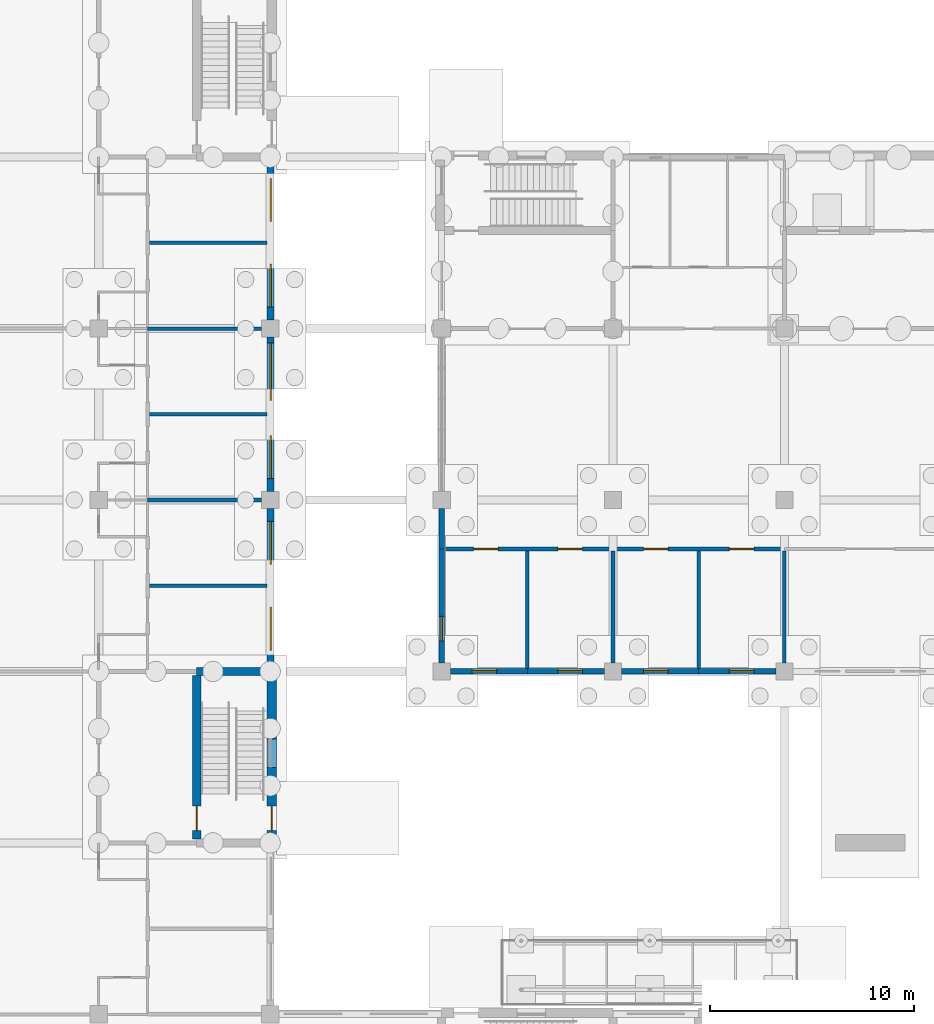
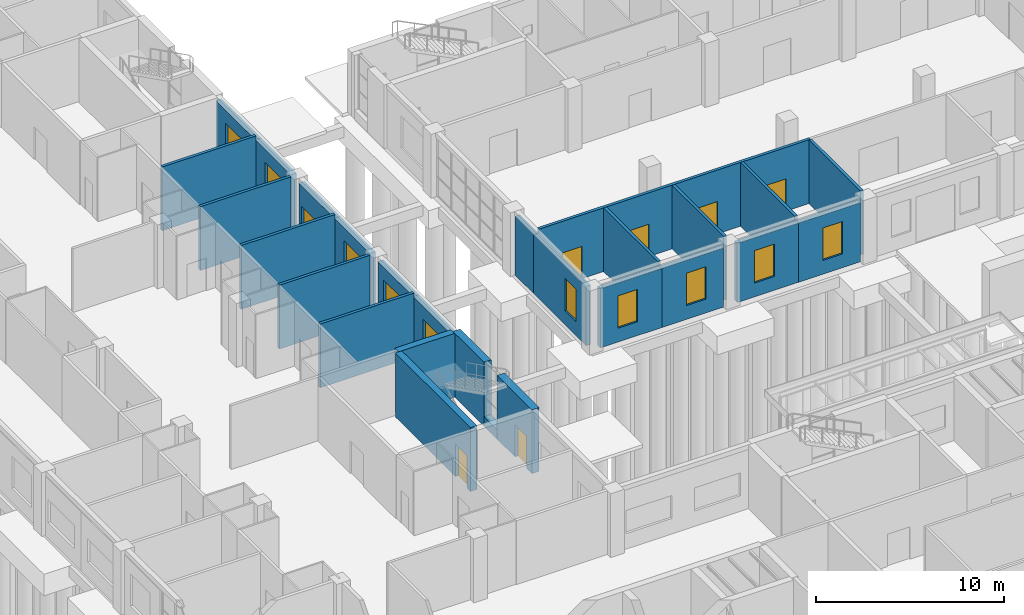
# One storey, part 105 of 138: 27 walls, 11 windows, 6 doors, 17 openings.
"""IFC4 building model written with IfcOpenShell, lengths in metres."""

from ifc_helpers import new_model, si_unit, direction, frame, frame_2d, origin, place, context, subcontext, project, spatial, rectangle, extrude, material, layer, layer_set, type_object, element, fill, save


model = new_model("IFC4")

# Units and contexts
model_context = context("Model", 3, precision=1e-05, world=origin(), true_north=direction((0.0, 1.0)))
body_context = subcontext(model_context, "Body", "Model", "MODEL_VIEW")
ifc_project = project(units=[si_unit("LENGTHUNIT", "METRE"), si_unit("AREAUNIT", "SQUARE_METRE"), si_unit("VOLUMEUNIT", "CUBIC_METRE"), si_unit("PLANEANGLEUNIT", "RADIAN"), si_unit("MASSUNIT", "GRAM", prefix="KILO")], contexts=[model_context])

# Site, building, storey
site_placement = place(None, origin())
site = spatial("IfcSite", under=ifc_project, at=site_placement, CompositionType="ELEMENT")
building_placement = place(site_placement, origin())
building = spatial("IfcBuilding", under=site, at=building_placement, Name="Yavir Park General Hospital", CompositionType="ELEMENT")
storey_placement = place(building_placement, origin())
storey = spatial("IfcBuildingStorey", under=building, at=storey_placement, Name="L00", CompositionType="ELEMENT", Elevation=0.0)

# Wall
ifc_material_1 = material(Name="Double-leaf gypsum board acoustic partition on staggered studs")
ifc_layer_1 = layer(ifc_material_1, 0.175048828125)
ifc_layer_set_1 = layer_set([ifc_layer_1], Name="Double-leaf gypsum board acoustic partition on staggered studs")
wall_type_1 = type_object("IfcWallType", Name="Acoustic partition 175", PredefinedType="PARTITIONING", material=ifc_layer_set_1)
wall_1_placement = place(storey_placement, frame((19.28759765625, 54.60009765625, 0.0), z_axis=(0.0, 0.0, 1.0), x_axis=(1.0, 0.0, 0.0)))
element("IfcWall", 1, at=wall_1_placement, inside=storey, type_object=wall_type_1, Name="AP175 L00-136", PredefinedType="PARTITIONING", context=body_context, shape_type="SweptSolid", body=[
    extrude(rectangle(XDim=5.762451171875, YDim=0.175048828125, at=frame_2d((2.88134765625, 0.0))), origin(), (0.0, 0.0, 1.0), 4.139892578125),
])

# Wall, openings, doors
wall_2_placement = place(storey_placement, frame((33.75, 56.39990234375, 0.0), z_axis=(0.0, 0.0, 1.0), x_axis=(1.0, 0.0, 0.0)))
wall_2 = element("IfcWall", 2, at=wall_2_placement, inside=storey, type_object=wall_type_1, Name="AP175 L00-137", PredefinedType="PARTITIONING", context=body_context, shape_type="SweptSolid", body=[
    extrude(rectangle(XDim=16.64990234375, YDim=0.175048828125, at=frame_2d((8.324951171875, 0.0))), origin(), (0.0, 0.0, 1.0), 4.139892578125),
])
opening_1_placement = place(wall_2_placement, frame((1.425048828125, 0.0, 0.0)))
opening_1 = element("IfcOpeningElement", 3, at=opening_1_placement, cuts=wall_2, Name="Opening L00.D090", PredefinedType="OPENING", context=body_context, shape_type="SweptSolid", body=[
    extrude(rectangle(XDim=1.199951171875, YDim=2.10009765625, at=frame_2d((0.60009765625, 1.050048828125))), frame((0.0, 0.097412109375, 0.0), z_axis=(0.0, -1.0, 0.0), x_axis=(1.0, 0.0, 0.0)), (0.0, 0.0, 1.0), 0.195068359375),
])
opening_2_placement = place(wall_2_placement, frame((5.550048828125, 0.0, 0.0)))
opening_2 = element("IfcOpeningElement", 4, at=opening_2_placement, cuts=wall_2, Name="Opening L00.D091", PredefinedType="OPENING", context=body_context, shape_type="SweptSolid", body=[
    extrude(rectangle(XDim=1.199951171875, YDim=2.10009765625, at=frame_2d((0.60009765625, 1.050048828125))), frame((0.0, 0.097412109375, 0.0), z_axis=(0.0, -1.0, 0.0), x_axis=(1.0, 0.0, 0.0)), (0.0, 0.0, 1.0), 0.195068359375),
])
opening_3_placement = place(wall_2_placement, frame((9.75, 0.0, 0.0)))
opening_3 = element("IfcOpeningElement", 5, at=opening_3_placement, cuts=wall_2, Name="Opening L00.D092", PredefinedType="OPENING", context=body_context, shape_type="SweptSolid", body=[
    extrude(rectangle(XDim=1.199951171875, YDim=2.10009765625, at=frame_2d((0.60009765625, 1.050048828125))), frame((0.0, 0.097412109375, 0.0), z_axis=(0.0, -1.0, 0.0), x_axis=(1.0, 0.0, 0.0)), (0.0, 0.0, 1.0), 0.195068359375),
])
opening_4_placement = place(wall_2_placement, frame((13.949951171875, 0.0, 0.0)))
opening_4 = element("IfcOpeningElement", 6, at=opening_4_placement, cuts=wall_2, Name="Opening L00.D093", PredefinedType="OPENING", context=body_context, shape_type="SweptSolid", body=[
    extrude(rectangle(XDim=1.199951171875, YDim=2.10009765625, at=frame_2d((0.60009765625, 1.050048828125))), frame((0.0, 0.097412109375, 0.0), z_axis=(0.0, -1.0, 0.0), x_axis=(1.0, 0.0, 0.0)), (0.0, 0.0, 1.0), 0.195068359375),
])
ifc_material_2 = material(Name="Sealed solid-core acoustic door leaf, Rw 42 dB")
door_type_1 = type_object("IfcDoorType", Name="Acoustic door 1200 x 2100", OperationType="SINGLE_SWING_LEFT", PredefinedType="DOOR", material=ifc_material_2)
door_1_placement = place(opening_1_placement, origin())
door_1 = element("IfcDoor", 7, at=door_1_placement, inside=storey, type_object=door_type_1, Name="L00.D090", OperationType="SINGLE_SWING_RIGHT", OverallHeight=2.10009765625, OverallWidth=1.199951171875, PredefinedType="DOOR", context=body_context, shape_type="SweptSolid", body=[
    extrude(rectangle(XDim=1.199951171875, YDim=2.10009765625, at=frame_2d((0.60009765625, 1.050048828125))), frame((0.0, 0.03515625, 0.0), z_axis=(0.0, -1.0, 0.0), x_axis=(1.0, 0.0, 0.0)), (0.0, 0.0, 1.0), 0.070068359375),
])
fill(opening_1, door_1)
door_2_placement = place(opening_2_placement, origin())
door_2 = element("IfcDoor", 8, at=door_2_placement, inside=storey, type_object=door_type_1, Name="L00.D091", OperationType="SINGLE_SWING_LEFT", OverallHeight=2.10009765625, OverallWidth=1.199951171875, PredefinedType="DOOR", context=body_context, shape_type="SweptSolid", body=[
    extrude(rectangle(XDim=1.199951171875, YDim=2.10009765625, at=frame_2d((0.60009765625, 1.050048828125))), frame((0.0, 0.03515625, 0.0), z_axis=(0.0, -1.0, 0.0), x_axis=(1.0, 0.0, 0.0)), (0.0, 0.0, 1.0), 0.070068359375),
])
fill(opening_2, door_2)
door_3_placement = place(opening_3_placement, origin())
door_3 = element("IfcDoor", 9, at=door_3_placement, inside=storey, type_object=door_type_1, Name="L00.D092", OperationType="SINGLE_SWING_LEFT", OverallHeight=2.10009765625, OverallWidth=1.199951171875, PredefinedType="DOOR", context=body_context, shape_type="SweptSolid", body=[
    extrude(rectangle(XDim=1.199951171875, YDim=2.10009765625, at=frame_2d((0.60009765625, 1.050048828125))), frame((0.0, 0.03515625, 0.0), z_axis=(0.0, -1.0, 0.0), x_axis=(1.0, 0.0, 0.0)), (0.0, 0.0, 1.0), 0.070068359375),
])
fill(opening_3, door_3)
door_4_placement = place(opening_4_placement, origin())
door_4 = element("IfcDoor", 10, at=door_4_placement, inside=storey, type_object=door_type_1, Name="L00.D093", OperationType="SINGLE_SWING_LEFT", OverallHeight=2.10009765625, OverallWidth=1.199951171875, PredefinedType="DOOR", context=body_context, shape_type="SweptSolid", body=[
    extrude(rectangle(XDim=1.199951171875, YDim=2.10009765625, at=frame_2d((0.60009765625, 1.050048828125))), frame((0.0, 0.03515625, 0.0), z_axis=(0.0, -1.0, 0.0), x_axis=(1.0, 0.0, 0.0)), (0.0, 0.0, 1.0), 0.070068359375),
])
fill(opening_4, door_4)

# Walls
wall_3_placement = place(storey_placement, frame((19.199951171875, 58.800048828125, 0.0), z_axis=(0.0, 0.0, 1.0), x_axis=(1.0, 0.0, 0.0)))
element("IfcWall", 11, at=wall_3_placement, inside=storey, type_object=wall_type_1, Name="AP175 L00-144", PredefinedType="PARTITIONING", context=body_context, shape_type="SweptSolid", body=[
    extrude(rectangle(XDim=5.574951171875, YDim=0.175048828125, at=frame_2d((2.78759765625, 0.0))), origin(), (0.0, 0.0, 1.0), 4.139892578125),
])
wall_4_placement = place(storey_placement, frame((19.28759765625, 63.0, 0.0), z_axis=(0.0, 0.0, 1.0), x_axis=(1.0, 0.0, 0.0)))
element("IfcWall", 12, at=wall_4_placement, inside=storey, type_object=wall_type_1, Name="AP175 L00-152", PredefinedType="PARTITIONING", context=body_context, shape_type="SweptSolid", body=[
    extrude(rectangle(XDim=5.762451171875, YDim=0.175048828125, at=frame_2d((2.88134765625, 0.0))), origin(), (0.0, 0.0, 1.0), 4.139892578125),
])
wall_5_placement = place(storey_placement, frame((19.199951171875, 67.199951171875, 0.0), z_axis=(0.0, 0.0, 1.0), x_axis=(1.0, 0.0, 0.0)))
element("IfcWall", 13, at=wall_5_placement, inside=storey, type_object=wall_type_1, Name="AP175 L00-159", PredefinedType="PARTITIONING", context=body_context, shape_type="SweptSolid", body=[
    extrude(rectangle(XDim=5.574951171875, YDim=0.175048828125, at=frame_2d((2.78759765625, 0.0))), origin(), (0.0, 0.0, 1.0), 4.139892578125),
])
for number, where, z_axis, x_axis, name in (
    (14, (19.28759765625, 71.39990234375, 0.0), (0.0, 0.0, 1.0), (1.0, 0.0, 0.0), "AP175 L00-169"),
    (15, (37.800048828125, 50.550048828125, 0.0), (0.0, 0.0, 1.0), (0.0, 1.0, 0.0), "AP175 L00-353"),
):
    element("IfcWall", number, at=place(storey_placement, frame(where, z_axis=z_axis, x_axis=x_axis)), inside=storey, type_object=wall_type_1, Name=name, PredefinedType="PARTITIONING", context=body_context, shape_type="SweptSolid", body=[
        extrude(rectangle(XDim=5.762451171875, YDim=0.175048828125, at=frame_2d((2.88134765625, 0.0))), origin(), (0.0, 0.0, 1.0), 4.139892578125),
    ])
wall_6_placement = place(storey_placement, frame((42.0, 50.824951171875, 0.0), z_axis=(0.0, 0.0, 1.0), x_axis=(0.0, 1.0, 0.0)))
element("IfcWall", 16, at=wall_6_placement, inside=storey, type_object=wall_type_1, Name="AP175 L00-360", PredefinedType="PARTITIONING", context=body_context, shape_type="SweptSolid", body=[
    extrude(rectangle(XDim=5.487548828125, YDim=0.175048828125, at=frame_2d((2.74365234375, 0.0))), origin(), (0.0, 0.0, 1.0), 4.139892578125),
])
wall_7_placement = place(storey_placement, frame((46.199951171875, 50.550048828125, 0.0), z_axis=(0.0, 0.0, 1.0), x_axis=(0.0, 1.0, 0.0)))
element("IfcWall", 17, at=wall_7_placement, inside=storey, type_object=wall_type_1, Name="AP175 L00-366", PredefinedType="PARTITIONING", context=body_context, shape_type="SweptSolid", body=[
    extrude(rectangle(XDim=5.762451171875, YDim=0.175048828125, at=frame_2d((2.88134765625, 0.0))), origin(), (0.0, 0.0, 1.0), 4.139892578125),
])
wall_8_placement = place(storey_placement, frame((50.39990234375, 50.824951171875, 0.0), z_axis=(0.0, 0.0, 1.0), x_axis=(0.0, 1.0, 0.0)))
element("IfcWall", 18, at=wall_8_placement, inside=storey, type_object=wall_type_1, Name="AP175 L00-371", PredefinedType="PARTITIONING", context=body_context, shape_type="SweptSolid", body=[
    extrude(rectangle(XDim=5.487548828125, YDim=0.175048828125, at=frame_2d((2.74365234375, 0.0))), origin(), (0.0, 0.0, 1.0), 4.139892578125),
])

# Wall, opening, window
ifc_material_3 = material(Name="Brick slip cladding on insulated block backing", Category="masonry")
ifc_layer_2 = layer(ifc_material_3, 0.27490234375)
ifc_layer_set_2 = layer_set([ifc_layer_2], Name="Brick slip cladding on insulated block backing")
wall_type_2 = type_object("IfcWallType", Name="Brick slip faced pavilion wall 275, E 30", PredefinedType="SOLIDWALL", material=ifc_layer_set_2)
wall_9_placement = place(storey_placement, frame((34.02490234375, 50.41259765625, 0.0), z_axis=(0.0, 0.0, 1.0), x_axis=(1.0, 0.0, 0.0)))
wall_9 = element("IfcWall", 19, at=wall_9_placement, inside=storey, type_object=wall_type_2, Name="XW3 L00-057", PredefinedType="SOLIDWALL", context=body_context, shape_type="SweptSolid", body=[
    extrude(rectangle(XDim=3.775146484375, YDim=0.27490234375, at=frame_2d((1.8876953125, 0.0))), origin(), (0.0, 0.0, 1.0), 3.840087890625),
])
opening_5_placement = place(wall_9_placement, frame((1.074951171875, 0.0, 0.89990234375)))
opening_5 = element("IfcOpeningElement", 20, at=opening_5_placement, cuts=wall_9, Name="Opening WD2", PredefinedType="OPENING", context=body_context, shape_type="SweptSolid", body=[
    extrude(rectangle(XDim=1.199951171875, YDim=2.10009765625, at=frame_2d((0.60009765625, 1.050048828125))), frame((0.0, 0.1474609375, 0.0), z_axis=(0.0, -1.0, 0.0), x_axis=(1.0, 0.0, 0.0)), (0.0, 0.0, 1.0), 0.294921875),
])
ifc_material_4 = material(Name="Aluminium frame, double glazed unit", Category="aluminium")
window_type_1 = type_object("IfcWindowType", Name="Tall office window 1200 x 2100", PartitioningType="SINGLE_PANEL", PredefinedType="WINDOW", material=ifc_material_4)
window_1_placement = place(opening_5_placement, origin())
window_1 = element("IfcWindow", 21, at=window_1_placement, inside=storey, type_object=window_type_1, Name="WD2 L00-015", OverallHeight=2.10009765625, OverallWidth=1.199951171875, PartitioningType="SINGLE_PANEL", PredefinedType="WINDOW", context=body_context, shape_type="SweptSolid", body=[
    extrude(rectangle(XDim=1.199951171875, YDim=2.10009765625, at=frame_2d((0.60009765625, 1.050048828125))), frame((0.0, 0.030029296875, 0.0), z_axis=(0.0, -1.0, 0.0), x_axis=(1.0, 0.0, 0.0)), (0.0, 0.0, 1.0), 0.06005859375),
])
fill(opening_5, window_1)

wall_10_placement = place(storey_placement, frame((37.800048828125, 50.41259765625, 0.0), z_axis=(0.0, 0.0, 1.0), x_axis=(1.0, 0.0, 0.0)))
wall_10 = element("IfcWall", 22, at=wall_10_placement, inside=storey, type_object=wall_type_2, Name="XW3 L00-058", PredefinedType="SOLIDWALL", context=body_context, shape_type="SweptSolid", body=[
    extrude(rectangle(XDim=3.77490234375, YDim=0.27490234375, at=frame_2d((1.887451171875, 0.0))), origin(), (0.0, 0.0, 1.0), 3.840087890625),
])
opening_6_placement = place(wall_10_placement, frame((1.5, 0.0, 0.89990234375)))
opening_6 = element("IfcOpeningElement", 23, at=opening_6_placement, cuts=wall_10, Name="Opening WD2", PredefinedType="OPENING", context=body_context, shape_type="SweptSolid", body=[
    extrude(rectangle(XDim=1.199951171875, YDim=2.10009765625, at=frame_2d((0.60009765625, 1.050048828125))), frame((0.0, 0.1474609375, 0.0), z_axis=(0.0, -1.0, 0.0), x_axis=(1.0, 0.0, 0.0)), (0.0, 0.0, 1.0), 0.294921875),
])
window_2_placement = place(opening_6_placement, origin())
window_2 = element("IfcWindow", 24, at=window_2_placement, inside=storey, type_object=window_type_1, Name="WD2 L00-016", OverallHeight=2.10009765625, OverallWidth=1.199951171875, PartitioningType="SINGLE_PANEL", PredefinedType="WINDOW", context=body_context, shape_type="SweptSolid", body=[
    extrude(rectangle(XDim=1.199951171875, YDim=2.10009765625, at=frame_2d((0.60009765625, 1.050048828125))), frame((0.0, 0.030029296875, 0.0), z_axis=(0.0, -1.0, 0.0), x_axis=(1.0, 0.0, 0.0)), (0.0, 0.0, 1.0), 0.06005859375),
])
fill(opening_6, window_2)

wall_11_placement = place(storey_placement, frame((42.425048828125, 50.41259765625, 0.0), z_axis=(0.0, 0.0, 1.0), x_axis=(1.0, 0.0, 0.0)))
wall_11 = element("IfcWall", 25, at=wall_11_placement, inside=storey, type_object=wall_type_2, Name="XW3 L00-059", PredefinedType="SOLIDWALL", context=body_context, shape_type="SweptSolid", body=[
    extrude(rectangle(XDim=3.77490234375, YDim=0.27490234375, at=frame_2d((1.887451171875, 0.0))), origin(), (0.0, 0.0, 1.0), 3.840087890625),
])
opening_7_placement = place(wall_11_placement, frame((1.074951171875, 0.0, 0.89990234375)))
opening_7 = element("IfcOpeningElement", 26, at=opening_7_placement, cuts=wall_11, Name="Opening WD2", PredefinedType="OPENING", context=body_context, shape_type="SweptSolid", body=[
    extrude(rectangle(XDim=1.199951171875, YDim=2.10009765625, at=frame_2d((0.60009765625, 1.050048828125))), frame((0.0, 0.1474609375, 0.0), z_axis=(0.0, -1.0, 0.0), x_axis=(1.0, 0.0, 0.0)), (0.0, 0.0, 1.0), 0.294921875),
])
window_3_placement = place(opening_7_placement, origin())
window_3 = element("IfcWindow", 27, at=window_3_placement, inside=storey, type_object=window_type_1, Name="WD2 L00-017", OverallHeight=2.10009765625, OverallWidth=1.199951171875, PartitioningType="SINGLE_PANEL", PredefinedType="WINDOW", context=body_context, shape_type="SweptSolid", body=[
    extrude(rectangle(XDim=1.199951171875, YDim=2.10009765625, at=frame_2d((0.60009765625, 1.050048828125))), frame((0.0, 0.030029296875, 0.0), z_axis=(0.0, -1.0, 0.0), x_axis=(1.0, 0.0, 0.0)), (0.0, 0.0, 1.0), 0.06005859375),
])
fill(opening_7, window_3)

wall_12_placement = place(storey_placement, frame((46.199951171875, 50.41259765625, 0.0), z_axis=(0.0, 0.0, 1.0), x_axis=(1.0, 0.0, 0.0)))
wall_12 = element("IfcWall", 28, at=wall_12_placement, inside=storey, type_object=wall_type_2, Name="XW3 L00-060", PredefinedType="SOLIDWALL", context=body_context, shape_type="SweptSolid", body=[
    extrude(rectangle(XDim=3.775146484375, YDim=0.27490234375, at=frame_2d((1.8876953125, 0.0))), origin(), (0.0, 0.0, 1.0), 3.840087890625),
])
opening_8_placement = place(wall_12_placement, frame((1.5, 0.0, 0.89990234375)))
opening_8 = element("IfcOpeningElement", 29, at=opening_8_placement, cuts=wall_12, Name="Opening WD2", PredefinedType="OPENING", context=body_context, shape_type="SweptSolid", body=[
    extrude(rectangle(XDim=1.199951171875, YDim=2.10009765625, at=frame_2d((0.60009765625, 1.050048828125))), frame((0.0, 0.1474609375, 0.0), z_axis=(0.0, -1.0, 0.0), x_axis=(1.0, 0.0, 0.0)), (0.0, 0.0, 1.0), 0.294921875),
])
window_4_placement = place(opening_8_placement, origin())
window_4 = element("IfcWindow", 30, at=window_4_placement, inside=storey, type_object=window_type_1, Name="WD2 L00-018", OverallHeight=2.10009765625, OverallWidth=1.199951171875, PartitioningType="SINGLE_PANEL", PredefinedType="WINDOW", context=body_context, shape_type="SweptSolid", body=[
    extrude(rectangle(XDim=1.199951171875, YDim=2.10009765625, at=frame_2d((0.60009765625, 1.050048828125))), frame((0.0, 0.030029296875, 0.0), z_axis=(0.0, -1.0, 0.0), x_axis=(1.0, 0.0, 0.0)), (0.0, 0.0, 1.0), 0.06005859375),
])
fill(opening_8, window_4)

wall_13_placement = place(storey_placement, frame((33.612548828125, 50.824951171875, 0.0), z_axis=(0.0, 0.0, 1.0), x_axis=(0.0, 1.0, 0.0)))
wall_13 = element("IfcWall", 31, at=wall_13_placement, inside=storey, type_object=wall_type_2, Name="XW3 L00-139", PredefinedType="SOLIDWALL", context=body_context, shape_type="SweptSolid", body=[
    extrude(rectangle(XDim=5.574951171875, YDim=0.27490234375, at=frame_2d((2.78759765625, 0.0))), origin(), (0.0, 0.0, 1.0), 3.840087890625),
])
opening_9_placement = place(wall_13_placement, frame((1.074951171875, 0.0, 0.89990234375)))
opening_9 = element("IfcOpeningElement", 32, at=opening_9_placement, cuts=wall_13, Name="Opening WD2", PredefinedType="OPENING", context=body_context, shape_type="SweptSolid", body=[
    extrude(rectangle(XDim=1.199951171875, YDim=2.10009765625, at=frame_2d((0.60009765625, 1.050048828125))), frame((0.0, 0.1474609375, 0.0), z_axis=(0.0, -1.0, 0.0), x_axis=(1.0, 0.0, 0.0)), (0.0, 0.0, 1.0), 0.294921875),
])
window_5_placement = place(opening_9_placement, origin())
window_5 = element("IfcWindow", 33, at=window_5_placement, inside=storey, type_object=window_type_1, Name="WD2 L00-061", OverallHeight=2.10009765625, OverallWidth=1.199951171875, PartitioningType="SINGLE_PANEL", PredefinedType="WINDOW", context=body_context, shape_type="SweptSolid", body=[
    extrude(rectangle(XDim=1.199951171875, YDim=2.10009765625, at=frame_2d((0.60009765625, 1.050048828125))), frame((0.0, 0.030029296875, 0.0), z_axis=(0.0, -1.0, 0.0), x_axis=(1.0, 0.0, 0.0)), (0.0, 0.0, 1.0), 0.06005859375),
])
fill(opening_9, window_5)

# Wall
wall_14_placement = place(storey_placement, frame((33.612548828125, 56.39990234375, 0.0), z_axis=(0.0, 0.0, 1.0), x_axis=(0.0, 1.0, 0.0)))
element("IfcWall", 34, at=wall_14_placement, inside=storey, type_object=wall_type_2, Name="XW3 L00-140", PredefinedType="SOLIDWALL", context=body_context, shape_type="SweptSolid", body=[
    extrude(rectangle(XDim=1.97509765625, YDim=0.27490234375, at=frame_2d((0.987548828125, 0.0))), origin(), (0.0, 0.0, 1.0), 3.840087890625),
])

# Wall, opening, window
ifc_material_5 = material(Name="Concrete C30/37 precast panel with 120 mm mineral wool insulation", Category="concrete")
ifc_layer_3 = layer(ifc_material_5, 0.35009765625)
ifc_layer_set_3 = layer_set([ifc_layer_3], Name="Concrete C30/37 precast panel with 120 mm mineral wool insulation")
wall_type_3 = type_object("IfcWallType", Name="Precast cladding panel podium wall 350, E 30", PredefinedType="SOLIDWALL", material=ifc_layer_set_3)
wall_15_placement = place(storey_placement, frame((25.22509765625, 50.39990234375, 0.0), z_axis=(0.0, 0.0, 1.0), x_axis=(0.0, 1.0, 0.0)))
wall_15 = element("IfcWall", 35, at=wall_15_placement, inside=storey, type_object=wall_type_3, Name="XW2 L00-121", PredefinedType="SOLIDWALL", context=body_context, shape_type="SweptSolid", body=[
    extrude(rectangle(XDim=4.2001953125, YDim=0.35009765625, at=frame_2d((2.10009765625, 0.0))), origin(), (0.0, 0.0, 1.0), 3.840087890625),
])
opening_10_placement = place(wall_15_placement, frame((1.050048828125, 0.0, 0.89990234375)))
opening_10 = element("IfcOpeningElement", 36, at=opening_10_placement, cuts=wall_15, Name="Opening WA2", PredefinedType="OPENING", context=body_context, shape_type="SweptSolid", body=[
    extrude(rectangle(XDim=2.10009765625, YDim=2.10009765625, at=frame_2d((1.050048828125, 1.050048828125))), frame((0.0, 0.18505859375, 0.0), z_axis=(0.0, -1.0, 0.0), x_axis=(1.0, 0.0, 0.0)), (0.0, 0.0, 1.0), 0.3701171875),
])
ifc_material_6 = material(Name="Aluminium frame, double glazed unit", Category="aluminium")
window_type_2 = type_object("IfcWindowType", Name="Tall window 2100 x 2100", PartitioningType="DOUBLE_PANEL_VERTICAL", PredefinedType="WINDOW", material=ifc_material_6)
window_6_placement = place(opening_10_placement, origin())
window_6 = element("IfcWindow", 37, at=window_6_placement, inside=storey, type_object=window_type_2, Name="WA2 L00-050", OverallHeight=2.10009765625, OverallWidth=2.10009765625, PartitioningType="DOUBLE_PANEL_VERTICAL", PredefinedType="WINDOW", context=body_context, shape_type="SweptSolid", body=[
    extrude(rectangle(XDim=2.10009765625, YDim=2.10009765625, at=frame_2d((1.050048828125, 1.050048828125))), frame((0.0, 0.030029296875, 0.0), z_axis=(0.0, -1.0, 0.0), x_axis=(1.0, 0.0, 0.0)), (0.0, 0.0, 1.0), 0.06005859375),
])
fill(opening_10, window_6)

wall_16_placement = place(storey_placement, frame((25.22509765625, 54.60009765625, 0.0), z_axis=(0.0, 0.0, 1.0), x_axis=(0.0, 1.0, 0.0)))
wall_16 = element("IfcWall", 38, at=wall_16_placement, inside=storey, type_object=wall_type_3, Name="XW2 L00-122", PredefinedType="SOLIDWALL", context=body_context, shape_type="SweptSolid", body=[
    extrude(rectangle(XDim=3.77490234375, YDim=0.35009765625, at=frame_2d((1.887451171875, 0.0))), origin(), (0.0, 0.0, 1.0), 3.840087890625),
])
opening_11_placement = place(wall_16_placement, frame((1.050048828125, 0.0, 0.89990234375)))
opening_11 = element("IfcOpeningElement", 39, at=opening_11_placement, cuts=wall_16, Name="Opening WA2", PredefinedType="OPENING", context=body_context, shape_type="SweptSolid", body=[
    extrude(rectangle(XDim=2.10009765625, YDim=2.10009765625, at=frame_2d((1.050048828125, 1.050048828125))), frame((0.0, 0.18505859375, 0.0), z_axis=(0.0, -1.0, 0.0), x_axis=(1.0, 0.0, 0.0)), (0.0, 0.0, 1.0), 0.3701171875),
])
window_7_placement = place(opening_11_placement, origin())
window_7 = element("IfcWindow", 40, at=window_7_placement, inside=storey, type_object=window_type_2, Name="WA2 L00-051", OverallHeight=2.10009765625, OverallWidth=2.10009765625, PartitioningType="DOUBLE_PANEL_VERTICAL", PredefinedType="WINDOW", context=body_context, shape_type="SweptSolid", body=[
    extrude(rectangle(XDim=2.10009765625, YDim=2.10009765625, at=frame_2d((1.050048828125, 1.050048828125))), frame((0.0, 0.030029296875, 0.0), z_axis=(0.0, -1.0, 0.0), x_axis=(1.0, 0.0, 0.0)), (0.0, 0.0, 1.0), 0.06005859375),
])
fill(opening_11, window_7)

wall_17_placement = place(storey_placement, frame((25.22509765625, 59.22509765625, 0.0), z_axis=(0.0, 0.0, 1.0), x_axis=(0.0, 1.0, 0.0)))
wall_17 = element("IfcWall", 41, at=wall_17_placement, inside=storey, type_object=wall_type_3, Name="XW2 L00-123", PredefinedType="SOLIDWALL", context=body_context, shape_type="SweptSolid", body=[
    extrude(rectangle(XDim=3.77490234375, YDim=0.35009765625, at=frame_2d((1.887451171875, 0.0))), origin(), (0.0, 0.0, 1.0), 3.840087890625),
])
opening_12_placement = place(wall_17_placement, frame((0.625, 0.0, 0.89990234375)))
opening_12 = element("IfcOpeningElement", 42, at=opening_12_placement, cuts=wall_17, Name="Opening WA2", PredefinedType="OPENING", context=body_context, shape_type="SweptSolid", body=[
    extrude(rectangle(XDim=2.10009765625, YDim=2.10009765625, at=frame_2d((1.050048828125, 1.050048828125))), frame((0.0, 0.18505859375, 0.0), z_axis=(0.0, -1.0, 0.0), x_axis=(1.0, 0.0, 0.0)), (0.0, 0.0, 1.0), 0.3701171875),
])
window_8_placement = place(opening_12_placement, origin())
window_8 = element("IfcWindow", 43, at=window_8_placement, inside=storey, type_object=window_type_2, Name="WA2 L00-052", OverallHeight=2.10009765625, OverallWidth=2.10009765625, PartitioningType="DOUBLE_PANEL_VERTICAL", PredefinedType="WINDOW", context=body_context, shape_type="SweptSolid", body=[
    extrude(rectangle(XDim=2.10009765625, YDim=2.10009765625, at=frame_2d((1.050048828125, 1.050048828125))), frame((0.0, 0.030029296875, 0.0), z_axis=(0.0, -1.0, 0.0), x_axis=(1.0, 0.0, 0.0)), (0.0, 0.0, 1.0), 0.06005859375),
])
fill(opening_12, window_8)

wall_18_placement = place(storey_placement, frame((25.22509765625, 63.0, 0.0), z_axis=(0.0, 0.0, 1.0), x_axis=(0.0, 1.0, 0.0)))
wall_18 = element("IfcWall", 44, at=wall_18_placement, inside=storey, type_object=wall_type_3, Name="XW2 L00-124", PredefinedType="SOLIDWALL", context=body_context, shape_type="SweptSolid", body=[
    extrude(rectangle(XDim=3.77490234375, YDim=0.35009765625, at=frame_2d((1.887451171875, 0.0))), origin(), (0.0, 0.0, 1.0), 3.840087890625),
])
opening_13_placement = place(wall_18_placement, frame((0.699951171875, 0.0, 1.0)))
opening_13 = element("IfcOpeningElement", 45, at=opening_13_placement, cuts=wall_18, Name="Opening WRB2", PredefinedType="OPENING", context=body_context, shape_type="SweptSolid", body=[
    extrude(rectangle(XDim=2.800048828125, YDim=1.5, at=frame_2d((1.39990234375, 0.75))), frame((0.0, 0.18505859375, 0.0), z_axis=(0.0, -1.0, 0.0), x_axis=(1.0, 0.0, 0.0)), (0.0, 0.0, 1.0), 0.3701171875),
])
ifc_material_7 = material(Name="Aluminium frame, double glazed unit", Category="aluminium")
window_type_3 = type_object("IfcWindowType", Name="Tall ribbon window 2800 x 1500", PartitioningType="DOUBLE_PANEL_VERTICAL", PredefinedType="WINDOW", material=ifc_material_7)
window_9_placement = place(opening_13_placement, origin())
window_9 = element("IfcWindow", 46, at=window_9_placement, inside=storey, type_object=window_type_3, Name="WRB2 L00-053", OverallHeight=1.5, OverallWidth=2.800048828125, PartitioningType="DOUBLE_PANEL_VERTICAL", PredefinedType="WINDOW", context=body_context, shape_type="SweptSolid", body=[
    extrude(rectangle(XDim=2.800048828125, YDim=1.5, at=frame_2d((1.39990234375, 0.75))), frame((0.0, 0.030029296875, 0.0), z_axis=(0.0, -1.0, 0.0), x_axis=(1.0, 0.0, 0.0)), (0.0, 0.0, 1.0), 0.06005859375),
])
fill(opening_13, window_9)

wall_19_placement = place(storey_placement, frame((25.22509765625, 67.625, 0.0), z_axis=(0.0, 0.0, 1.0), x_axis=(0.0, 1.0, 0.0)))
wall_19 = element("IfcWall", 47, at=wall_19_placement, inside=storey, type_object=wall_type_3, Name="XW2 L00-125", PredefinedType="SOLIDWALL", context=body_context, shape_type="SweptSolid", body=[
    extrude(rectangle(XDim=3.77490234375, YDim=0.35009765625, at=frame_2d((1.887451171875, 0.0))), origin(), (0.0, 0.0, 1.0), 3.840087890625),
])
opening_14_placement = place(wall_19_placement, frame((0.625, 0.0, 0.89990234375)))
opening_14 = element("IfcOpeningElement", 48, at=opening_14_placement, cuts=wall_19, Name="Opening WA2", PredefinedType="OPENING", context=body_context, shape_type="SweptSolid", body=[
    extrude(rectangle(XDim=2.10009765625, YDim=2.10009765625, at=frame_2d((1.050048828125, 1.050048828125))), frame((0.0, 0.18505859375, 0.0), z_axis=(0.0, -1.0, 0.0), x_axis=(1.0, 0.0, 0.0)), (0.0, 0.0, 1.0), 0.3701171875),
])
window_10_placement = place(opening_14_placement, origin())
window_10 = element("IfcWindow", 49, at=window_10_placement, inside=storey, type_object=window_type_2, Name="WA2 L00-054", OverallHeight=2.10009765625, OverallWidth=2.10009765625, PartitioningType="DOUBLE_PANEL_VERTICAL", PredefinedType="WINDOW", context=body_context, shape_type="SweptSolid", body=[
    extrude(rectangle(XDim=2.10009765625, YDim=2.10009765625, at=frame_2d((1.050048828125, 1.050048828125))), frame((0.0, 0.030029296875, 0.0), z_axis=(0.0, -1.0, 0.0), x_axis=(1.0, 0.0, 0.0)), (0.0, 0.0, 1.0), 0.06005859375),
])
fill(opening_14, window_10)

wall_20_placement = place(storey_placement, frame((25.22509765625, 71.39990234375, 0.0), z_axis=(0.0, 0.0, 1.0), x_axis=(0.0, 1.0, 0.0)))
wall_20 = element("IfcWall", 50, at=wall_20_placement, inside=storey, type_object=wall_type_3, Name="XW2 L00-126", PredefinedType="SOLIDWALL", context=body_context, shape_type="SweptSolid", body=[
    extrude(rectangle(XDim=4.2001953125, YDim=0.35009765625, at=frame_2d((2.10009765625, 0.0))), origin(), (0.0, 0.0, 1.0), 3.840087890625),
])
opening_15_placement = place(wall_20_placement, frame((1.050048828125, 0.0, 0.89990234375)))
opening_15 = element("IfcOpeningElement", 51, at=opening_15_placement, cuts=wall_20, Name="Opening WA2", PredefinedType="OPENING", context=body_context, shape_type="SweptSolid", body=[
    extrude(rectangle(XDim=2.10009765625, YDim=2.10009765625, at=frame_2d((1.050048828125, 1.050048828125))), frame((0.0, 0.18505859375, 0.0), z_axis=(0.0, -1.0, 0.0), x_axis=(1.0, 0.0, 0.0)), (0.0, 0.0, 1.0), 0.3701171875),
])
window_11_placement = place(opening_15_placement, origin())
window_11 = element("IfcWindow", 52, at=window_11_placement, inside=storey, type_object=window_type_2, Name="WA2 L00-055", OverallHeight=2.10009765625, OverallWidth=2.10009765625, PartitioningType="DOUBLE_PANEL_VERTICAL", PredefinedType="WINDOW", context=body_context, shape_type="SweptSolid", body=[
    extrude(rectangle(XDim=2.10009765625, YDim=2.10009765625, at=frame_2d((1.050048828125, 1.050048828125))), frame((0.0, 0.030029296875, 0.0), z_axis=(0.0, -1.0, 0.0), x_axis=(1.0, 0.0, 0.0)), (0.0, 0.0, 1.0), 0.06005859375),
])
fill(opening_15, window_11)

# Wall
ifc_material_8 = material(Name="Concrete C35/45", Category="concrete")
ifc_layer_4 = layer(ifc_material_8, 0.39990234375)
ifc_layer_set_4 = layer_set([ifc_layer_4], Name="Concrete C35/45")
wall_type_4 = type_object("IfcWallType", Name="Reinforced concrete core wall 400, REI 150", PredefinedType="SHEAR", material=ifc_layer_set_4)
wall_21_placement = place(storey_placement, frame((21.60009765625, 50.39990234375, 0.0), z_axis=(0.0, 0.0, 1.0), x_axis=(1.0, 0.0, 0.0)))
element("IfcWall", 53, at=wall_21_placement, inside=storey, type_object=wall_type_4, Name="CW40 L00-127", PredefinedType="SHEAR", context=body_context, shape_type="SweptSolid", body=[
    extrude(rectangle(XDim=3.449951171875, YDim=0.39990234375, at=frame_2d((1.72509765625, 0.0))), origin(), (0.0, 0.0, 1.0), 4.139892578125),
])

# Wall, opening, door
wall_22_placement = place(storey_placement, frame((21.60009765625, 42.199951171875, 0.0), z_axis=(0.0, 0.0, 1.0), x_axis=(0.0, 1.0, 0.0)))
wall_22 = element("IfcWall", 54, at=wall_22_placement, inside=storey, type_object=wall_type_4, Name="CW40 L00-338", PredefinedType="SHEAR", context=body_context, shape_type="SweptSolid", body=[
    extrude(rectangle(XDim=8.0, YDim=0.39990234375, at=frame_2d((4.0, 0.0))), origin(), (0.0, 0.0, 1.0), 4.139892578125),
])
opening_16_placement = place(wall_22_placement, frame((0.39990234375, 0.0, 0.0)))
opening_16 = element("IfcOpeningElement", 55, at=opening_16_placement, cuts=wall_22, Name="Opening L00.D190", PredefinedType="OPENING", context=body_context, shape_type="SweptSolid", body=[
    extrude(rectangle(XDim=1.199951171875, YDim=2.10009765625, at=frame_2d((0.60009765625, 1.050048828125))), frame((0.0, 0.2099609375, 0.0), z_axis=(0.0, -1.0, 0.0), x_axis=(1.0, 0.0, 0.0)), (0.0, 0.0, 1.0), 0.419921875),
])
ifc_material_9 = material(Name="Steel frame, fire-resisting timber leaf", Category="steel")
door_type_2 = type_object("IfcDoorType", Name="Fire door 1200 x 2100, EI 60", OperationType="SINGLE_SWING_LEFT", PredefinedType="DOOR", material=ifc_material_9)
door_5_placement = place(opening_16_placement, origin())
door_5 = element("IfcDoor", 56, at=door_5_placement, inside=storey, type_object=door_type_2, Name="L00.D190", OperationType="SINGLE_SWING_RIGHT", OverallHeight=2.10009765625, OverallWidth=1.199951171875, PredefinedType="DOOR", context=body_context, shape_type="SweptSolid", body=[
    extrude(rectangle(XDim=1.199951171875, YDim=2.10009765625, at=frame_2d((0.60009765625, 1.050048828125))), frame((0.0, 0.02490234375, 0.0), z_axis=(0.0, -1.0, 0.0), x_axis=(1.0, 0.0, 0.0)), (0.0, 0.0, 1.0), 0.050048828125),
])
fill(opening_16, door_5)

ifc_material_10 = material(Name="Concrete C30/37 precast panel with 150 mm mineral wool insulation", Category="concrete")
ifc_layer_5 = layer(ifc_material_10, 0.449951171875)
ifc_layer_set_5 = layer_set([ifc_layer_5], Name="Concrete C30/37 precast panel with 150 mm mineral wool insulation")
wall_type_5 = type_object("IfcWallType", Name="Stair enclosure wall 450, REI 150", PredefinedType="SOLIDWALL", material=ifc_layer_set_5)
wall_23_placement = place(storey_placement, frame((25.27490234375, 42.0, 0.0), z_axis=(0.0, 0.0, 1.0), x_axis=(0.0, 1.0, 0.0)))
wall_23 = element("IfcWall", 57, at=wall_23_placement, inside=storey, type_object=wall_type_5, Name="XW6 L00-118", PredefinedType="SOLIDWALL", context=body_context, shape_type="SweptSolid", body=[
    extrude(rectangle(XDim=3.699951171875, YDim=0.449951171875, at=frame_2d((1.85009765625, 0.0))), origin(), (0.0, 0.0, 1.0), 4.139892578125),
])
opening_17_placement = place(wall_23_placement, frame((0.60009765625, 0.0, 0.0)))
opening_17 = element("IfcOpeningElement", 58, at=opening_17_placement, cuts=wall_23, Name="Opening L00.X26", PredefinedType="OPENING", context=body_context, shape_type="SweptSolid", body=[
    extrude(rectangle(XDim=1.199951171875, YDim=2.10009765625, at=frame_2d((0.60009765625, 1.050048828125))), frame((0.0, 0.23486328125, 0.0), z_axis=(0.0, -1.0, 0.0), x_axis=(1.0, 0.0, 0.0)), (0.0, 0.0, 1.0), 0.469970703125),
])
ifc_material_11 = material(Name="Hollow metal frame, solid-core timber leaf", Category="wood")
door_type_3 = type_object("IfcDoorType", Name="Single swing door 1200 x 2100", OperationType="SINGLE_SWING_LEFT", PredefinedType="DOOR", material=ifc_material_11)
door_6_placement = place(opening_17_placement, frame((1.199951171875, 0.0, 0.0), x_axis=(-1.0, 0.0, 0.0)))
door_6 = element("IfcDoor", 59, at=door_6_placement, inside=storey, type_object=door_type_3, Name="L00.X26", OperationType="SINGLE_SWING_LEFT", OverallHeight=2.10009765625, OverallWidth=1.199951171875, PredefinedType="DOOR", context=body_context, shape_type="SweptSolid", body=[
    extrude(rectangle(XDim=1.199951171875, YDim=2.10009765625, at=frame_2d((0.60009765625, 1.050048828125))), frame((0.0, 0.02490234375, 0.0), z_axis=(0.0, -1.0, 0.0), x_axis=(1.0, 0.0, 0.0)), (0.0, 0.0, 1.0), 0.050048828125),
])
fill(opening_17, door_6)

# Walls
wall_24_placement = place(storey_placement, frame((25.27490234375, 47.10009765625, 0.0), z_axis=(0.0, 0.0, 1.0), x_axis=(0.0, 1.0, 0.0)))
element("IfcWall", 60, at=wall_24_placement, inside=storey, type_object=wall_type_5, Name="XW6 L00-119", PredefinedType="SOLIDWALL", context=body_context, shape_type="SweptSolid", body=[
    extrude(rectangle(XDim=3.2998046875, YDim=0.449951171875, at=frame_2d((1.64990234375, 0.0))), origin(), (0.0, 0.0, 1.0), 4.139892578125),
])
wall_25_placement = place(storey_placement, frame((25.27490234375, 45.699951171875, 0.0), z_axis=(0.0, 0.0, 1.0), x_axis=(0.0, 1.0, 0.0)))
element("IfcWall", 61, at=wall_25_placement, inside=storey, type_object=wall_type_5, Name="XW6 L00-120", PredefinedType="SOLIDWALL", context=body_context, shape_type="SweptSolid", body=[
    extrude(rectangle(XDim=1.400146484375, YDim=0.449951171875, at=frame_2d((0.7001953125, 0.0))), origin(), (0.0, 0.0, 1.0), 0.60009765625),
])

save(model, "model.ifc")
